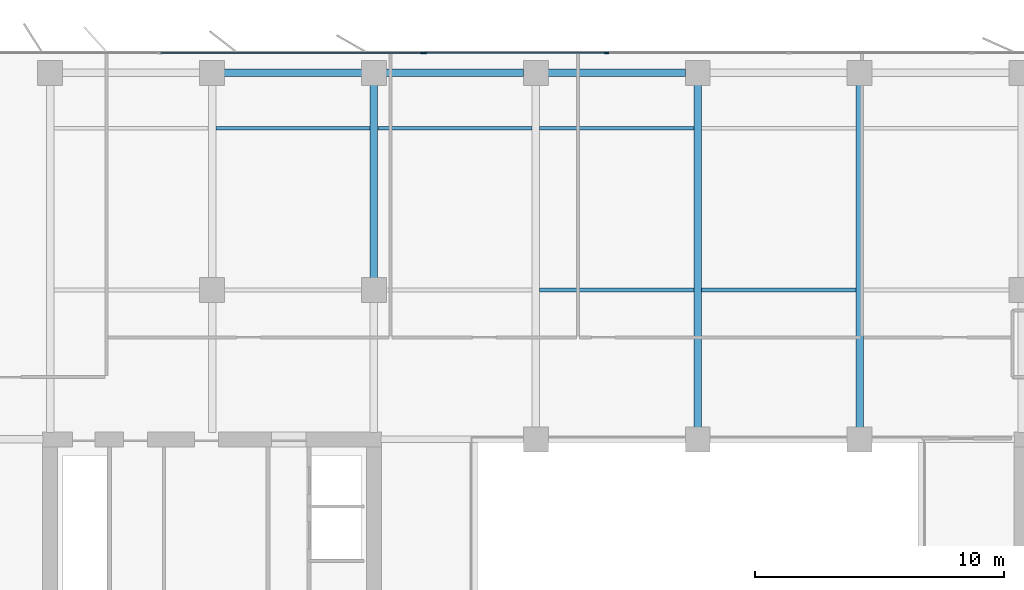
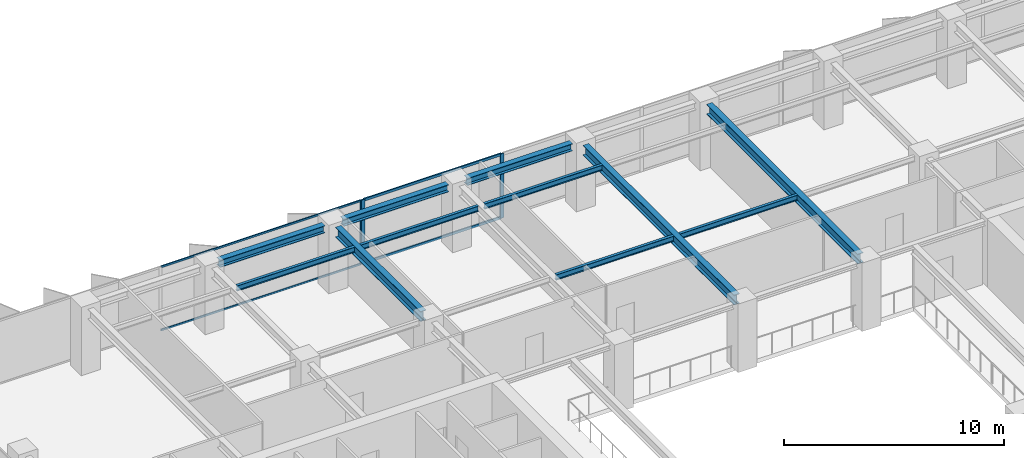
# One storey, part 9 of 22: 11 beams, 7 members, 2 elements without a shape of their own.
"""IFC4 building model written with IfcOpenShell, lengths in metres."""

from ifc_helpers import new_model, si_unit, direction, frame, origin, origin_2d, place, context, subcontext, project, spatial, rectangle, i_section, extrude, material, layer, layer_set, material_profile, profile_set, type_object, element, aggregate, save


model = new_model("IFC4")

# Units and contexts
model_context = context("Model", 3, precision=1e-05, world=origin(), true_north=direction((0.0, 1.0)))
body_context = subcontext(model_context, "Body", "Model", "MODEL_VIEW")
ifc_project = project(units=[si_unit("LENGTHUNIT", "METRE"), si_unit("AREAUNIT", "SQUARE_METRE"), si_unit("VOLUMEUNIT", "CUBIC_METRE"), si_unit("PLANEANGLEUNIT", "RADIAN"), si_unit("MASSUNIT", "GRAM", prefix="KILO")], contexts=[model_context])

# Site, building, storey
site_placement = place(None, origin())
site = spatial("IfcSite", under=ifc_project, at=site_placement, CompositionType="ELEMENT")
building_placement = place(site_placement, origin())
building = spatial("IfcBuilding", under=site, at=building_placement, Name="Putna Gate Headquarters", CompositionType="ELEMENT")
storey_placement = place(building_placement, frame((0.0, 0.0, 170.800048828125)))
storey = spatial("IfcBuildingStorey", under=building, at=storey_placement, Name="L42", CompositionType="ELEMENT", Elevation=170.800048828125)

# Beams
ifc_material_1 = material(Name="Steel S355J2", Category="steel")
ifc_material_profile_1 = material_profile(ifc_material_1, i_section(OverallWidth=0.300048828125, OverallDepth=0.550048828125, WebThickness=0.014892578125, FlangeThickness=0.029052734375, at=origin_2d()), Name="Steel S355J2")
ifc_profile_set_1 = profile_set([ifc_material_profile_1], Name="Steel S355J2")
beam_type_1 = type_object("IfcBeamType", Name="BM-GIRD-Z3-HEB550", PredefinedType="USERDEFINED", material=ifc_profile_set_1)
beam_placement = place(storey_placement, frame((26.0, 39.488037109375, 3.296875), z_axis=(0.0, 1.0, 0.0), x_axis=(-1.0, 0.0, 0.0)))
element("IfcBeam", 1, at=beam_placement, inside=storey, type_object=beam_type_1, Name="L42 North Primary Girder X26-2", ObjectType="GIRDER", PredefinedType="USERDEFINED", context=body_context, shape_type="SweptSolid", body=[
    extrude(i_section(OverallWidth=0.300048828125, OverallDepth=0.550048828125, WebThickness=0.014892578125, FlangeThickness=0.029052734375, at=origin_2d()), origin(), (0.0, 0.0, 1.0), 7.743896484375),
])
for number, where, z_axis, x_axis, name in (
    (2, (39.0, 33.488037109375, 3.296875), (0.0, 1.0, 0.0), (-1.0, 0.0, 0.0), "L42 North Primary Girder X39"),
    (3, (45.5, 33.488037109375, 3.296875), (0.0, 1.0, 0.0), (-1.0, 0.0, 0.0), "L42 North Primary Girder X45"),
):
    element("IfcBeam", number, at=place(storey_placement, frame(where, z_axis=z_axis, x_axis=x_axis)), inside=storey, type_object=beam_type_1, Name=name, ObjectType="GIRDER", PredefinedType="USERDEFINED", context=body_context, shape_type="SweptSolid", body=[
        extrude(i_section(OverallWidth=0.300048828125, OverallDepth=0.550048828125, WebThickness=0.014892578125, FlangeThickness=0.029052734375, at=origin_2d()), origin(), (0.0, 0.0, 1.0), 13.743896484375),
    ])
ifc_material_profile_2 = material_profile(ifc_material_1, i_section(OverallWidth=0.14990234375, OverallDepth=0.300048828125, WebThickness=0.007080078125, FlangeThickness=0.0107421875, at=origin_2d()), Name="Steel S355J2")
ifc_profile_set_2 = profile_set([ifc_material_profile_2], Name="Steel S355J2")
beam_type_2 = type_object("IfcBeamType", Name="BM-SEC-Z3-IPE300", PredefinedType="JOIST", material=ifc_profile_set_2)
for number, where, z_axis, x_axis, name in (
    (4, (19.654052734375, 45.5, 3.421875), (1.0, 0.0, 0.0), (0.0, 1.0, 0.0), "L42 North Secondary Beam 2"),
    (5, (26.154052734375, 45.5, 3.421875), (1.0, 0.0, 0.0), (0.0, 1.0, 0.0), "L42 North Secondary Beam 3"),
    (6, (32.654052734375, 39.0, 3.421875), (1.0, 0.0, 0.0), (0.0, 1.0, 0.0), "L42 North Secondary Beam 4"),
    (7, (32.654052734375, 45.5, 3.421875), (1.0, 0.0, 0.0), (0.0, 1.0, 0.0), "L42 North Secondary Beam 4"),
    (8, (39.154052734375, 39.0, 3.421875), (1.0, 0.0, 0.0), (0.0, 1.0, 0.0), "L42 North Secondary Beam 5"),
):
    element("IfcBeam", number, at=place(storey_placement, frame(where, z_axis=z_axis, x_axis=x_axis)), inside=storey, type_object=beam_type_2, Name=name, PredefinedType="JOIST", context=body_context, shape_type="SweptSolid", body=[
        extrude(i_section(OverallWidth=0.14990234375, OverallDepth=0.300048828125, WebThickness=0.007080078125, FlangeThickness=0.0107421875, at=origin_2d()), origin(), (0.0, 0.0, 1.0), 6.19189453125),
    ])
ifc_material_profile_3 = material_profile(ifc_material_1, i_section(OverallWidth=0.300048828125, OverallDepth=0.39990234375, WebThickness=0.013427734375, FlangeThickness=0.02392578125, at=origin_2d()), Name="Steel S355J2")
ifc_profile_set_3 = profile_set([ifc_material_profile_3], Name="Steel S355J2")
beam_type_3 = type_object("IfcBeamType", Name="BM-SPAN-Z3-HEB400", PredefinedType="SPANDREL", material=ifc_profile_set_3)
for number, where, z_axis, x_axis, name in (
    (9, (19.988037109375, 47.719970703125, 3.3720703125), (1.0, 0.0, 0.0), (0.0, 1.0, 0.0), "L42 N Perimeter Spandrel 2"),
    (10, (26.488037109375, 47.719970703125, 3.3720703125), (1.0, 0.0, 0.0), (0.0, 1.0, 0.0), "L42 N Perimeter Spandrel 3"),
    (11, (32.988037109375, 47.719970703125, 3.3720703125), (1.0, 0.0, 0.0), (0.0, 1.0, 0.0), "L42 N Perimeter Spandrel 4"),
):
    element("IfcBeam", number, at=place(storey_placement, frame(where, z_axis=z_axis, x_axis=x_axis)), inside=storey, type_object=beam_type_3, Name=name, PredefinedType="SPANDREL", context=body_context, shape_type="SweptSolid", body=[
        extrude(i_section(OverallWidth=0.300048828125, OverallDepth=0.39990234375, WebThickness=0.013427734375, FlangeThickness=0.02392578125, at=origin_2d()), origin(), (0.0, 0.0, 1.0), 5.52392578125),
    ])

# Curtain wall, member
ifc_material_2 = material(Name="Anodised bronze aluminium curtain wall", Category="aluminium")
ifc_layer_1 = layer(ifc_material_2, 0.159912109375)
ifc_layer_set_1 = layer_set([ifc_layer_1], Name="Anodised bronze aluminium curtain wall")
curtain_wall_type_1 = type_object("IfcCurtainWallType", Name="CW-SYS-Z3", PredefinedType="USERDEFINED", material=ifc_layer_set_1)
curtain_wall_1_placement = place(storey_placement, origin())
curtain_wall_1 = element("IfcCurtainWall", 12, at=curtain_wall_1_placement, inside=storey, type_object=curtain_wall_type_1, Name="L42 North West Curtain Wall", ObjectType="STICK CURTAIN WALL", PredefinedType="USERDEFINED")
ifc_material_3 = material(Name="Anodised bronze aluminium EN AW-6060", Category="aluminium")
ifc_material_profile_4 = material_profile(ifc_material_3, rectangle(XDim=0.06494140625, YDim=0.159912109375, at=origin_2d()), Name="Anodised bronze aluminium EN AW-6060")
ifc_profile_set_4 = profile_set([ifc_material_profile_4], Name="Anodised bronze aluminium EN AW-6060")
member_type_1 = type_object("IfcMemberType", Name="MULL-CWM-3", PredefinedType="MULLION", material=ifc_profile_set_4)
member_1_placement = place(storey_placement, frame((27.967529296875, 48.52001953125, 0.0), z_axis=(0.0, 0.0, 1.0), x_axis=(0.0, 1.0, 0.0)))
member_1 = element("IfcMember", 13, at=member_1_placement, type_object=member_type_1, Name="CWS-3 mullion 3", PredefinedType="MULLION", context=body_context, shape_type="SweptSolid", body=[
    extrude(rectangle(XDim=0.06494140625, YDim=0.159912109375, at=origin_2d()), origin(), (0.0, 0.0, 1.0), 3.572021484375),
])

# Curtain wall, members
ifc_layer_2 = layer(ifc_material_2, 0.179931640625)
ifc_layer_set_2 = layer_set([ifc_layer_2], Name="Anodised bronze aluminium curtain wall")
curtain_wall_type_2 = type_object("IfcCurtainWallType", Name="CW-SYS-ATR", PredefinedType="USERDEFINED", material=ifc_layer_set_2)
curtain_wall_2_placement = place(storey_placement, origin())
curtain_wall_2 = element("IfcCurtainWall", 14, at=curtain_wall_2_placement, inside=storey, type_object=curtain_wall_type_2, Name="L42 North Atrium Clear Glazing", ObjectType="ATRIUM GLAZING", PredefinedType="USERDEFINED")
ifc_material_profile_5 = material_profile(ifc_material_3, rectangle(XDim=0.070068359375, YDim=0.179931640625, at=origin_2d()), Name="Anodised bronze aluminium EN AW-6060")
ifc_profile_set_5 = profile_set([ifc_material_profile_5], Name="Anodised bronze aluminium EN AW-6060")
member_type_2 = type_object("IfcMemberType", Name="MULL-CWM-AT", PredefinedType="MULLION", material=ifc_profile_set_5)
member_2_placement = place(storey_placement, frame((28.034912109375, 48.52001953125, 0.0), z_axis=(0.0, 0.0, 1.0), x_axis=(0.0, 1.0, 0.0)))
member_2 = element("IfcMember", 15, at=member_2_placement, type_object=member_type_2, Name="CWS-AT mullion 1", PredefinedType="MULLION", context=body_context, shape_type="SweptSolid", body=[
    extrude(rectangle(XDim=0.070068359375, YDim=0.179931640625, at=origin_2d()), origin(), (0.0, 0.0, 1.0), 3.572021484375),
])
member_3_placement = place(storey_placement, frame((35.333251953125, 48.52001953125, 0.0), z_axis=(0.0, 0.0, 1.0), x_axis=(0.0, 1.0, 0.0)))
member_3 = element("IfcMember", 16, at=member_3_placement, type_object=member_type_2, Name="CWS-AT mullion 2", PredefinedType="MULLION", context=body_context, shape_type="SweptSolid", body=[
    extrude(rectangle(XDim=0.070068359375, YDim=0.179931640625, at=origin_2d()), origin(), (0.0, 0.0, 1.0), 3.572021484375),
])

# Member
ifc_material_profile_6 = material_profile(ifc_material_3, rectangle(XDim=0.06005859375, YDim=0.10009765625, at=origin_2d()), Name="Anodised bronze aluminium EN AW-6060")
ifc_profile_set_6 = profile_set([ifc_material_profile_6], Name="Anodised bronze aluminium EN AW-6060")
member_type_3 = type_object("IfcMemberType", Name="TRAN-CWT-3", PredefinedType="USERDEFINED", material=ifc_profile_set_6)
member_4_placement = place(storey_placement, frame((17.4326171875, 48.52001953125, 0.030029296875), z_axis=(1.0, 0.0, 0.0), x_axis=(0.0, 1.0, 0.0)))
member_4 = element("IfcMember", 17, at=member_4_placement, type_object=member_type_3, Name="CWS-3 transom 2.1", ObjectType="TRANSOM", PredefinedType="USERDEFINED", context=body_context, shape_type="SweptSolid", body=[
    extrude(rectangle(XDim=0.06005859375, YDim=0.10009765625, at=origin_2d()), origin(), (0.0, 0.0, 1.0), 10.50244140625),
])

member_5_placement = place(storey_placement, frame((17.4326171875, 48.52001953125, 3.5419921875), z_axis=(1.0, 0.0, 0.0), x_axis=(0.0, 1.0, 0.0)))
member_5 = element("IfcMember", 18, at=member_5_placement, type_object=member_type_3, Name="CWS-3 transom 2.2", ObjectType="TRANSOM", PredefinedType="USERDEFINED", context=body_context, shape_type="SweptSolid", body=[
    extrude(rectangle(XDim=0.06005859375, YDim=0.10009765625, at=origin_2d()), origin(), (0.0, 0.0, 1.0), 10.50244140625),
])

aggregate(curtain_wall_1, [member_1, member_4, member_5])

ifc_material_profile_7 = material_profile(ifc_material_3, rectangle(XDim=0.070068359375, YDim=0.139892578125, at=origin_2d()), Name="Anodised bronze aluminium EN AW-6060")
ifc_profile_set_7 = profile_set([ifc_material_profile_7], Name="Anodised bronze aluminium EN AW-6060")
member_type_4 = type_object("IfcMemberType", Name="TRAN-CWT-AT", PredefinedType="USERDEFINED", material=ifc_profile_set_7)
member_6_placement = place(storey_placement, frame((28.070068359375, 48.52001953125, 0.034912109375), z_axis=(1.0, 0.0, 0.0), x_axis=(0.0, 1.0, 0.0)))
member_6 = element("IfcMember", 19, at=member_6_placement, type_object=member_type_4, Name="CWS-AT transom 1.1", ObjectType="TRANSOM", PredefinedType="USERDEFINED", context=body_context, shape_type="SweptSolid", body=[
    extrude(rectangle(XDim=0.070068359375, YDim=0.139892578125, at=origin_2d()), origin(), (0.0, 0.0, 1.0), 7.228271484375),
])

member_7_placement = place(storey_placement, frame((28.070068359375, 48.52001953125, 3.536865234375), z_axis=(1.0, 0.0, 0.0), x_axis=(0.0, 1.0, 0.0)))
member_7 = element("IfcMember", 20, at=member_7_placement, type_object=member_type_4, Name="CWS-AT transom 1.2", ObjectType="TRANSOM", PredefinedType="USERDEFINED", context=body_context, shape_type="SweptSolid", body=[
    extrude(rectangle(XDim=0.070068359375, YDim=0.139892578125, at=origin_2d()), origin(), (0.0, 0.0, 1.0), 7.228271484375),
])

aggregate(curtain_wall_2, [member_2, member_3, member_6, member_7])

save(model, "model.ifc")
